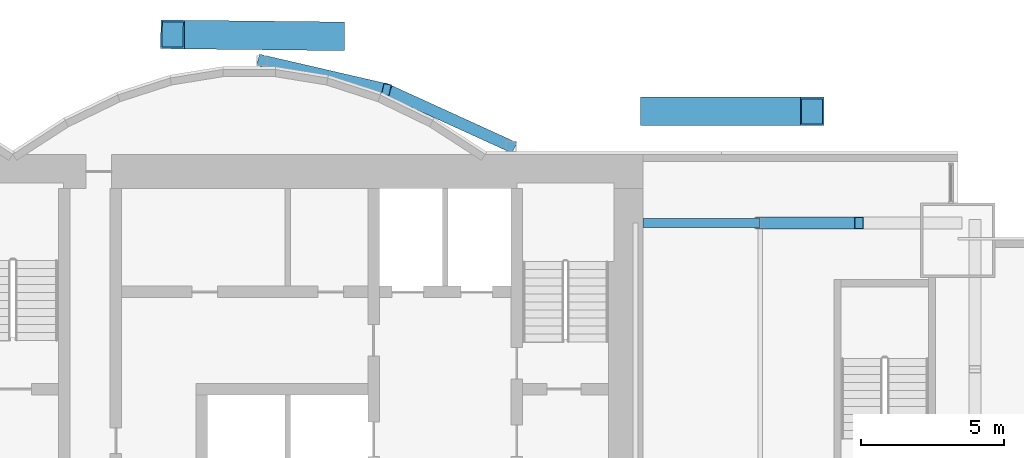
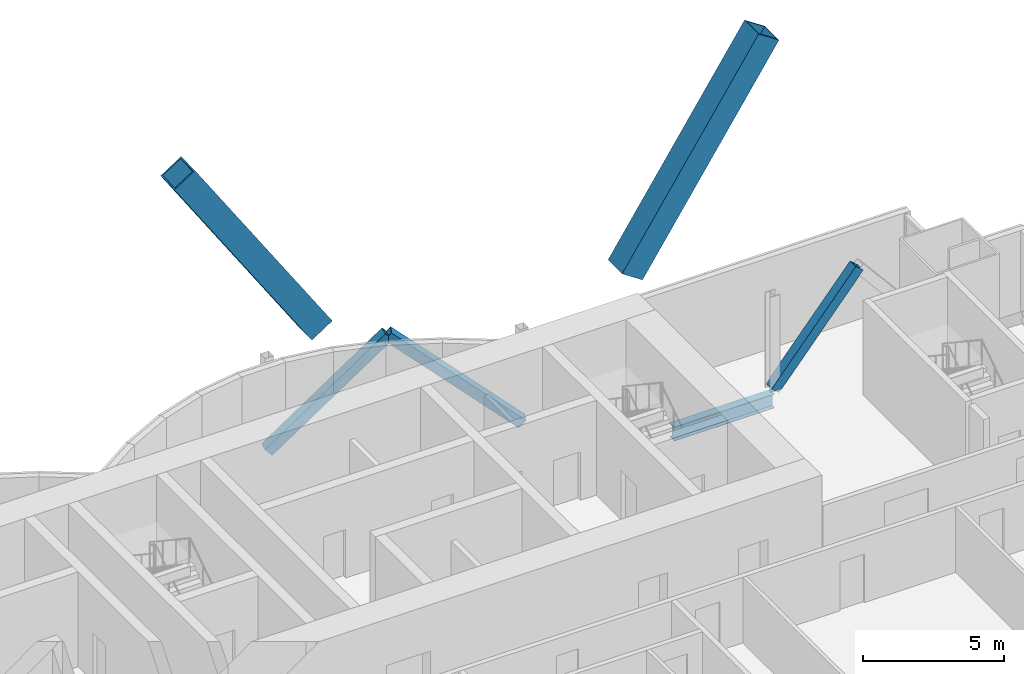
# One storey, part 12 of 22: 5 members, 1 beam.
"""IFC4 building model written with IfcOpenShell, lengths in metres."""

from ifc_helpers import new_model, si_unit, direction, frame, origin, origin_2d, place, context, subcontext, project, spatial, hollow_rectangle, i_section, extrude, material, material_profile, profile_set, type_object, element, save


model = new_model("IFC4")

# Units and contexts
model_context = context("Model", 3, precision=1e-05, world=origin(), true_north=direction((0.0, 1.0)))
body_context = subcontext(model_context, "Body", "Model", "MODEL_VIEW")
ifc_project = project(units=[si_unit("LENGTHUNIT", "METRE"), si_unit("AREAUNIT", "SQUARE_METRE"), si_unit("VOLUMEUNIT", "CUBIC_METRE"), si_unit("PLANEANGLEUNIT", "RADIAN"), si_unit("MASSUNIT", "GRAM", prefix="KILO")], contexts=[model_context])

# Site, building, storey
site_placement = place(None, origin())
site = spatial("IfcSite", under=ifc_project, at=site_placement, CompositionType="ELEMENT")
building_placement = place(site_placement, origin())
building = spatial("IfcBuilding", under=site, at=building_placement, Name="Bicima Exchange Tower", CompositionType="ELEMENT")
storey_placement = place(building_placement, frame((0.0, 0.0, 169.10009765625)))
storey = spatial("IfcBuildingStorey", under=building, at=storey_placement, Name="L37", CompositionType="ELEMENT", Elevation=169.10009765625)

# Members
ifc_material_1 = material(Name="Steel ASTM A572 Gr 50", Category="steel")
ifc_material_profile_1 = material_profile(ifc_material_1, hollow_rectangle(XDim=1.0, YDim=1.0, WallThickness=0.06005859375, at=origin_2d()))
ifc_profile_set_1 = profile_set([ifc_material_profile_1], Name="Steel ASTM A572 Gr 50")
member_type_1 = type_object("IfcMemberType", Name="Exo mega brace BOX 1000x1000x60", PredefinedType="BRACE", material=ifc_profile_set_1)
member_1_placement = place(storey_placement, frame((22.333251953125, 1.5, 4.066650390625), z_axis=(0.55281335708, 0.0, 0.833305101529), x_axis=(0.0, 1.0, 0.0)))
element("IfcMember", 1, at=member_1_placement, inside=storey, type_object=member_type_1, Name="Exo mega brace rear", PredefinedType="BRACE", context=body_context, shape_type="SweptSolid", body=[
    extrude(hollow_rectangle(XDim=1.0, YDim=1.0, WallThickness=0.06005859375, at=origin_2d()), origin(), (0.0, 0.0, 1.0), 10.10009765625),
])
member_2_placement = place(storey_placement, frame((11.166748046875, 4.125, 4.066650390625), z_axis=(-0.552803101452, 0.006091227878, 0.833289642302), x_axis=(-0.011018133066, -0.99993929853, 0.0)))
element("IfcMember", 2, at=member_2_placement, inside=storey, type_object=member_type_1, Name="Exo mega brace rear", PredefinedType="BRACE", context=body_context, shape_type="SweptSolid", body=[
    extrude(hollow_rectangle(XDim=1.0, YDim=1.0, WallThickness=0.06005859375, at=origin_2d()), origin(), (0.0, 0.0, 1.0), 10.100341796875),
])
ifc_material_profile_2 = material_profile(ifc_material_1, hollow_rectangle(XDim=0.406494140625, YDim=0.406494140625, WallThickness=0.017822265625, at=origin_2d()))
ifc_profile_set_2 = profile_set([ifc_material_profile_2], Name="Steel ASTM A572 Gr 50")
member_type_2 = type_object("IfcMemberType", Name="Mega brace HSS16x16x3/4", PredefinedType="BRACE", material=ifc_profile_set_2)
member_3_placement = place(storey_placement, frame((8.699951171875, 3.26904296875, 0.0), z_axis=(0.717625168184, -0.166055032463, 0.676342993002), x_axis=(0.225438503722, 0.974257399787, 0.0)))
element("IfcMember", 3, at=member_3_placement, inside=storey, type_object=member_type_2, Name="Mega brace rexo", PredefinedType="BRACE", context=body_context, shape_type="SweptSolid", body=[
    extrude(hollow_rectangle(XDim=0.406494140625, YDim=0.406494140625, WallThickness=0.017822265625, at=origin_2d()), origin(), (0.0, 0.0, 1.0), 6.061767578125),
])
member_4_placement = place(storey_placement, frame((17.39990234375, 0.278076171875, 0.0), z_axis=(-0.690646390594, 0.3150684101, 0.650952732629), x_axis=(-0.415045223819, -0.909800781592, 0.0)))
element("IfcMember", 4, at=member_4_placement, inside=storey, type_object=member_type_2, Name="Mega brace rexo", PredefinedType="BRACE", context=body_context, shape_type="SweptSolid", body=[
    extrude(hollow_rectangle(XDim=0.406494140625, YDim=0.406494140625, WallThickness=0.017822265625, at=origin_2d()), origin(), (0.0, 0.0, 1.0), 6.29833984375),
])
member_5_placement = place(storey_placement, frame((26.10009765625, -2.39990234375, 0.0), z_axis=(0.643856488545, 0.0, 0.765146275008), x_axis=(0.0, 1.0, 0.0)))
element("IfcMember", 5, at=member_5_placement, inside=storey, type_object=member_type_2, Name="Mega brace rear", PredefinedType="BRACE", context=body_context, shape_type="SweptSolid", body=[
    extrude(hollow_rectangle(XDim=0.406494140625, YDim=0.406494140625, WallThickness=0.017822265625, at=origin_2d()), origin(), (0.0, 0.0, 1.0), 5.358154296875),
])

# Beam
ifc_material_2 = material(Name="Steel ASTM A992 Gr 50", Category="steel")
ifc_material_profile_3 = material_profile(ifc_material_2, i_section(OverallWidth=0.3251953125, OverallDepth=0.612060546875, WebThickness=0.0126953125, FlangeThickness=0.01904296875, at=origin_2d()))
ifc_profile_set_3 = profile_set([ifc_material_profile_3], Name="Steel ASTM A992 Gr 50")
beam_type = type_object("IfcBeamType", Name="Rear girder W24x104", PredefinedType="BEAM", material=ifc_profile_set_3)
beam_placement = place(storey_placement, frame((22.0, -2.39990234375, -0.456298828125), z_axis=(1.0, 0.0, 0.0), x_axis=(0.0, 1.0, 0.0)))
element("IfcBeam", 6, at=beam_placement, inside=storey, type_object=beam_type, Name="Rear girder", PredefinedType="BEAM", context=body_context, shape_type="SweptSolid", body=[
    extrude(i_section(OverallWidth=0.3251953125, OverallDepth=0.612060546875, WebThickness=0.0126953125, FlangeThickness=0.01904296875, at=origin_2d()), origin(), (0.0, 0.0, 1.0), 4.10009765625),
])

save(model, "model.ifc")
